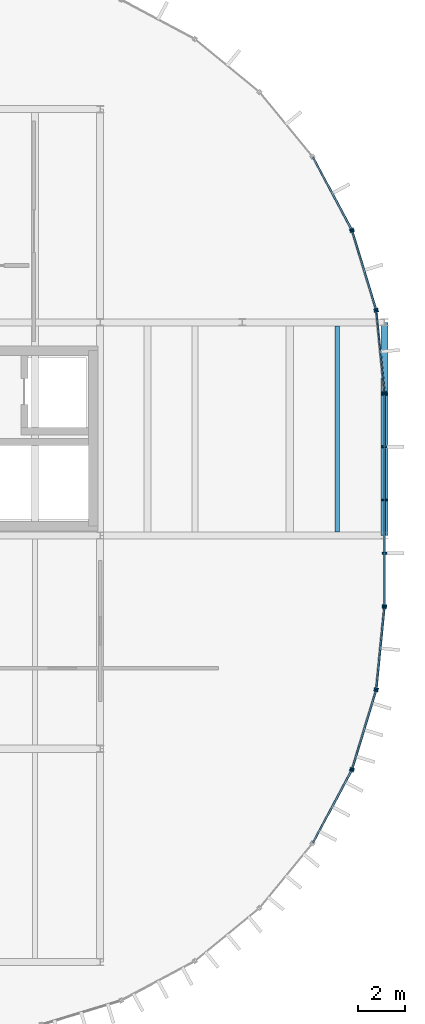
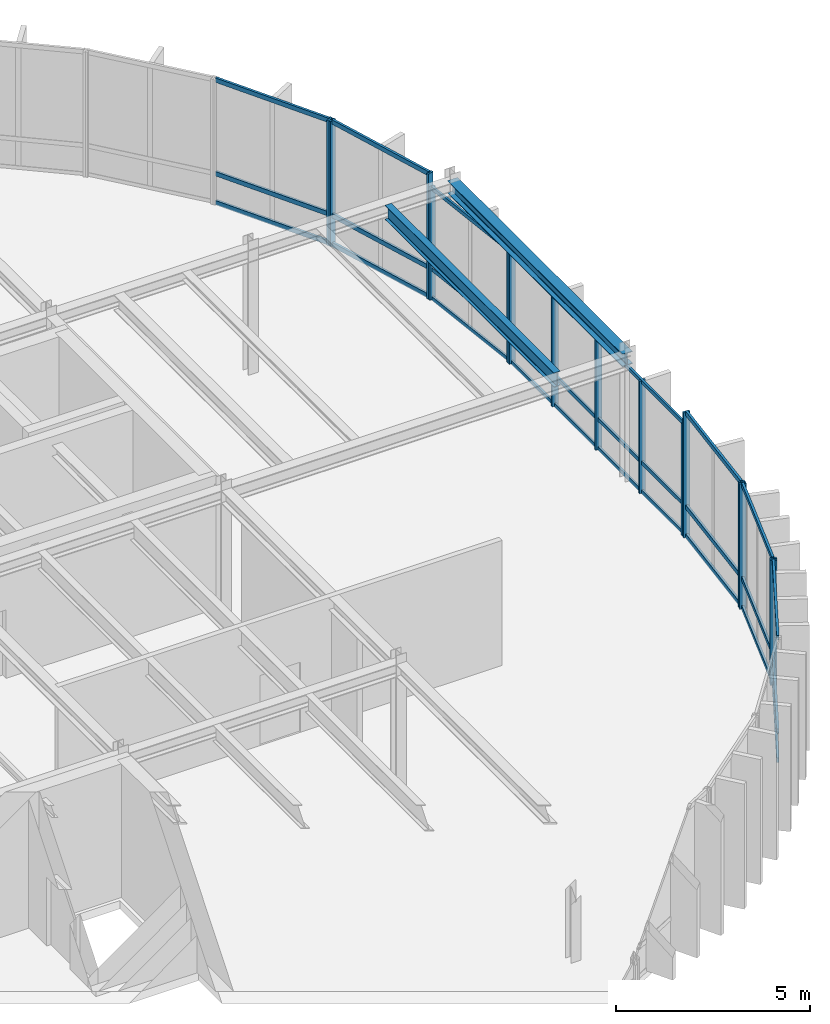
# One storey, part 15 of 21: 36 members, 2 beams, 7 elements without a shape of their own.
"""IFC4 building model written with IfcOpenShell, lengths in metres."""

from ifc_helpers import new_model, si_unit, direction, frame, origin, origin_2d, place, context, subcontext, project, spatial, rectangle, i_section, extrude, material, layer, layer_set, material_profile, profile_set, type_object, element, aggregate, save


model = new_model("IFC4")

# Units and contexts
model_context = context("Model", 3, precision=1e-05, world=origin(), true_north=direction((0.0, 1.0)))
body_context = subcontext(model_context, "Body", "Model", "MODEL_VIEW")
ifc_project = project(units=[si_unit("LENGTHUNIT", "METRE"), si_unit("AREAUNIT", "SQUARE_METRE"), si_unit("VOLUMEUNIT", "CUBIC_METRE"), si_unit("PLANEANGLEUNIT", "RADIAN"), si_unit("MASSUNIT", "GRAM", prefix="KILO")], contexts=[model_context])

# Site, building, storey
site_placement = place(None, origin())
site = spatial("IfcSite", under=ifc_project, at=site_placement, CompositionType="ELEMENT")
building_placement = place(site_placement, origin())
building = spatial("IfcBuilding", under=site, at=building_placement, Name="Montealbar Specialist Clinic", CompositionType="ELEMENT")
storey_placement = place(building_placement, frame((0.0, 0.0, 26.39990234375)))
storey = spatial("IfcBuildingStorey", under=building, at=storey_placement, Name="L06", CompositionType="ELEMENT", Elevation=26.39990234375)

# Beams
ifc_material_1 = material(Name="Steel S355", Category="steel")
ifc_material_profile_1 = material_profile(ifc_material_1, i_section(OverallWidth=0.300048828125, OverallDepth=0.39990234375, WebThickness=0.013427734375, FlangeThickness=0.02392578125, FilletRadius=0.027099609375, at=origin_2d()), Name="HEB 400", Category="steel")
ifc_profile_set_1 = profile_set([ifc_material_profile_1], Name="Steel S355")
beam_type_1 = type_object("IfcBeamType", Name="BM-GIRD-HEB400-EXT", PredefinedType="BEAM", material=ifc_profile_set_1)
beam_1_placement = place(storey_placement, frame((111.0, 27.0, 3.72998046875), z_axis=(0.0, 1.0, 0.0), x_axis=(-1.0, 0.0, 0.0)))
element("IfcBeam", 1, at=beam_1_placement, inside=storey, type_object=beam_type_1, Name="Beam GY-L06-1110-270-360", PredefinedType="BEAM", context=body_context, shape_type="SweptSolid", body=[
    extrude(i_section(OverallWidth=0.300048828125, OverallDepth=0.39990234375, WebThickness=0.013427734375, FlangeThickness=0.02392578125, FilletRadius=0.027099609375, at=origin_2d()), origin(), (0.0, 0.0, 1.0), 9.0),
])
ifc_material_profile_2 = material_profile(ifc_material_1, i_section(OverallWidth=0.18994140625, OverallDepth=0.449951171875, WebThickness=0.009521484375, FlangeThickness=0.0146484375, FilletRadius=0.02099609375, at=origin_2d()), Name="IPE 450", Category="steel")
ifc_profile_set_2 = profile_set([ifc_material_profile_2], Name="Steel S355")
beam_type_2 = type_object("IfcBeamType", Name="BM-SEC-IPE450", PredefinedType="BEAM", material=ifc_profile_set_2)
beam_2_placement = place(storey_placement, frame((109.0, 27.14990234375, 3.705078125), z_axis=(0.0, 1.0, 0.0), x_axis=(-1.0, 0.0, 0.0)))
element("IfcBeam", 2, at=beam_2_placement, inside=storey, type_object=beam_type_2, Name="Beam JST-L06-1090-272-358", PredefinedType="BEAM", context=body_context, shape_type="SweptSolid", body=[
    extrude(i_section(OverallWidth=0.18994140625, OverallDepth=0.449951171875, WebThickness=0.009521484375, FlangeThickness=0.0146484375, FilletRadius=0.02099609375, at=origin_2d()), origin(), (0.0, 0.0, 1.0), 8.7001953125),
])

# Curtain wall, member
ifc_material_2 = material(Name="Low-E double glazing", Category="glass")
ifc_layer_1 = layer(ifc_material_2, 0.199951171875, Name="Low-E double glazing", Category="glass")
ifc_layer_set_1 = layer_set([ifc_layer_1], Name="Low-E double glazing")
curtain_wall_type_1 = type_object("IfcCurtainWallType", Name="CW-TYPE-12", PredefinedType="NOTDEFINED", material=ifc_layer_set_1)
curtain_wall_1_placement = place(storey_placement, origin())
curtain_wall_1 = element("IfcCurtainWall", 3, at=curtain_wall_1_placement, inside=storey, type_object=curtain_wall_type_1, Name="Unitised Curtain Wall CW-L06-1080-430-1096-399-264", PredefinedType="NOTDEFINED")
ifc_material_3 = material(Name="Anodised aluminium EN AW-6063", Category="aluminium")
ifc_material_profile_3 = material_profile(ifc_material_3, rectangle(XDim=0.070068359375, YDim=0.179931640625, at=origin_2d()), Name="ALU 70x180", Category="aluminium")
ifc_profile_set_3 = profile_set([ifc_material_profile_3], Name="Anodised aluminium EN AW-6063")
member_type_1 = type_object("IfcMemberType", Name="CW-MUL-200", PredefinedType="MULLION", material=ifc_profile_set_3)
member_1_placement = place(storey_placement, frame((109.611083984375, 39.923095703125, 0.0), z_axis=(0.0, 0.0, 1.0), x_axis=(0.471529268958, -0.881850411644, 0.0)))
member_1 = element("IfcMember", 4, at=member_1_placement, type_object=member_type_1, Name="Curtain Wall Mullion CW-L06-1080-430-1096-399-264-01", PredefinedType="MULLION", context=body_context, shape_type="SweptSolid", body=[
    extrude(rectangle(XDim=0.070068359375, YDim=0.179931640625, at=origin_2d()), origin(), (0.0, 0.0, 1.0), 3.93017578125),
])

# Curtain wall, members
curtain_wall_2_placement = place(storey_placement, origin())
curtain_wall_2 = element("IfcCurtainWall", 5, at=curtain_wall_2_placement, inside=storey, type_object=curtain_wall_type_1, Name="Unitised Curtain Wall CW-L06-1096-399-1107-365-264", PredefinedType="NOTDEFINED")
member_2_placement = place(storey_placement, frame((109.64208984375, 39.85009765625, 0.0), z_axis=(0.0, 0.0, 1.0), x_axis=(0.290259134399, -0.956948083701, 0.0)))
member_2 = element("IfcMember", 6, at=member_2_placement, type_object=member_type_1, Name="Curtain Wall Mullion CW-L06-1096-399-1107-365-264-00", PredefinedType="MULLION", context=body_context, shape_type="SweptSolid", body=[
    extrude(rectangle(XDim=0.070068359375, YDim=0.179931640625, at=origin_2d()), origin(), (0.0, 0.0, 1.0), 3.93017578125),
])
member_3_placement = place(storey_placement, frame((110.64208984375, 36.550048828125, 0.0), z_axis=(0.0, 0.0, 1.0), x_axis=(0.290259134399, -0.956948083701, 0.0)))
member_3 = element("IfcMember", 7, at=member_3_placement, type_object=member_type_1, Name="Curtain Wall Mullion CW-L06-1096-399-1107-365-264-01", PredefinedType="MULLION", context=body_context, shape_type="SweptSolid", body=[
    extrude(rectangle(XDim=0.070068359375, YDim=0.179931640625, at=origin_2d()), origin(), (0.0, 0.0, 1.0), 3.93017578125),
])

ifc_layer_2 = layer(ifc_material_2, 0.199951171875, Name="Low-E double glazing", Category="glass")
ifc_layer_set_2 = layer_set([ifc_layer_2], Name="Low-E double glazing")
curtain_wall_type_2 = type_object("IfcCurtainWallType", Name="CW-TYPE-15", PredefinedType="NOTDEFINED", material=ifc_layer_set_2)
curtain_wall_3_placement = place(storey_placement, origin())
curtain_wall_3 = element("IfcCurtainWall", 8, at=curtain_wall_3_placement, inside=storey, type_object=curtain_wall_type_2, Name="Unitised Curtain Wall CW-L06-1107-365-1110-330-264", PredefinedType="NOTDEFINED")
member_4_placement = place(storey_placement, frame((110.657958984375, 36.471923828125, 0.0), z_axis=(0.0, 0.0, 1.0), x_axis=(0.098044697094, -0.995182012183, 0.0)))
member_4 = element("IfcMember", 9, at=member_4_placement, type_object=member_type_1, Name="Curtain Wall Mullion CW-L06-1107-365-1110-330-264-00", PredefinedType="MULLION", context=body_context, shape_type="SweptSolid", body=[
    extrude(rectangle(XDim=0.070068359375, YDim=0.179931640625, at=origin_2d()), origin(), (0.0, 0.0, 1.0), 3.530029296875),
])
member_5_placement = place(storey_placement, frame((110.99609375, 33.0400390625, 0.0), z_axis=(0.0, 0.0, 1.0), x_axis=(0.098044697094, -0.995182012183, 0.0)))
member_5 = element("IfcMember", 10, at=member_5_placement, type_object=member_type_1, Name="Curtain Wall Mullion CW-L06-1107-365-1110-330-264-01", PredefinedType="MULLION", context=body_context, shape_type="SweptSolid", body=[
    extrude(rectangle(XDim=0.070068359375, YDim=0.179931640625, at=origin_2d()), origin(), (0.0, 0.0, 1.0), 3.530029296875),
])

ifc_layer_3 = layer(ifc_material_2, 0.199951171875, Name="Low-E double glazing", Category="glass")
ifc_layer_set_3 = layer_set([ifc_layer_3], Name="Low-E double glazing")
curtain_wall_type_3 = type_object("IfcCurtainWallType", Name="CW-TYPE-44", PredefinedType="NOTDEFINED", material=ifc_layer_set_3)
curtain_wall_4_placement = place(storey_placement, origin())
curtain_wall_4 = element("IfcCurtainWall", 11, at=curtain_wall_4_placement, inside=storey, type_object=curtain_wall_type_3, Name="Unitised Curtain Wall CW-L06-1110-330-1110-240-264", PredefinedType="NOTDEFINED")
member_6_placement = place(storey_placement, frame((111.0, 32.9599609375, 0.0), z_axis=(0.0, 0.0, 1.0), x_axis=(0.0, -1.0, 0.0)))
member_6 = element("IfcMember", 12, at=member_6_placement, type_object=member_type_1, Name="Curtain Wall Mullion CW-L06-1110-330-1110-240-264-00", PredefinedType="MULLION", context=body_context, shape_type="SweptSolid", body=[
    extrude(rectangle(XDim=0.070068359375, YDim=0.179931640625, at=origin_2d()), origin(), (0.0, 0.0, 1.0), 3.530029296875),
])
member_7_placement = place(storey_placement, frame((111.0, 30.75, 0.0), z_axis=(0.0, 0.0, 1.0), x_axis=(0.0, -1.0, 0.0)))
member_7 = element("IfcMember", 13, at=member_7_placement, type_object=member_type_1, Name="Curtain Wall Mullion CW-L06-1110-330-1110-240-264-01", PredefinedType="MULLION", context=body_context, shape_type="SweptSolid", body=[
    extrude(rectangle(XDim=0.070068359375, YDim=0.179931640625, at=origin_2d()), origin(), (0.0, 0.0, 1.0), 3.530029296875),
])
member_8_placement = place(storey_placement, frame((111.0, 28.5, 0.0), z_axis=(0.0, 0.0, 1.0), x_axis=(0.0, -1.0, 0.0)))
member_8 = element("IfcMember", 14, at=member_8_placement, type_object=member_type_1, Name="Curtain Wall Mullion CW-L06-1110-330-1110-240-264-02", PredefinedType="MULLION", context=body_context, shape_type="SweptSolid", body=[
    extrude(rectangle(XDim=0.070068359375, YDim=0.179931640625, at=origin_2d()), origin(), (0.0, 0.0, 1.0), 3.530029296875),
])
member_9_placement = place(storey_placement, frame((111.0, 26.25, 0.0), z_axis=(0.0, 0.0, 1.0), x_axis=(0.0, -1.0, 0.0)))
member_9 = element("IfcMember", 15, at=member_9_placement, type_object=member_type_1, Name="Curtain Wall Mullion CW-L06-1110-330-1110-240-264-03", PredefinedType="MULLION", context=body_context, shape_type="SweptSolid", body=[
    extrude(rectangle(XDim=0.070068359375, YDim=0.179931640625, at=origin_2d()), origin(), (0.0, 0.0, 1.0), 3.530029296875),
])
member_10_placement = place(storey_placement, frame((111.0, 24.0400390625, 0.0), z_axis=(0.0, 0.0, 1.0), x_axis=(0.0, -1.0, 0.0)))
member_10 = element("IfcMember", 16, at=member_10_placement, type_object=member_type_1, Name="Curtain Wall Mullion CW-L06-1110-330-1110-240-264-04", PredefinedType="MULLION", context=body_context, shape_type="SweptSolid", body=[
    extrude(rectangle(XDim=0.070068359375, YDim=0.179931640625, at=origin_2d()), origin(), (0.0, 0.0, 1.0), 3.530029296875),
])

curtain_wall_5_placement = place(storey_placement, origin())
curtain_wall_5 = element("IfcCurtainWall", 17, at=curtain_wall_5_placement, inside=storey, type_object=curtain_wall_type_1, Name="Unitised Curtain Wall CW-L06-1110-240-1107-205-264", PredefinedType="NOTDEFINED")
member_11_placement = place(storey_placement, frame((110.99609375, 23.9599609375, 0.0), z_axis=(0.0, 0.0, 1.0), x_axis=(-0.098044697094, -0.995182012183, 0.0)))
member_11 = element("IfcMember", 18, at=member_11_placement, type_object=member_type_1, Name="Curtain Wall Mullion CW-L06-1110-240-1107-205-264-00", PredefinedType="MULLION", context=body_context, shape_type="SweptSolid", body=[
    extrude(rectangle(XDim=0.070068359375, YDim=0.179931640625, at=origin_2d()), origin(), (0.0, 0.0, 1.0), 3.93017578125),
])
member_12_placement = place(storey_placement, frame((110.657958984375, 20.528076171875, 0.0), z_axis=(0.0, 0.0, 1.0), x_axis=(-0.098044697094, -0.995182012183, 0.0)))
member_12 = element("IfcMember", 19, at=member_12_placement, type_object=member_type_1, Name="Curtain Wall Mullion CW-L06-1110-240-1107-205-264-01", PredefinedType="MULLION", context=body_context, shape_type="SweptSolid", body=[
    extrude(rectangle(XDim=0.070068359375, YDim=0.179931640625, at=origin_2d()), origin(), (0.0, 0.0, 1.0), 3.93017578125),
])

curtain_wall_6_placement = place(storey_placement, origin())
curtain_wall_6 = element("IfcCurtainWall", 20, at=curtain_wall_6_placement, inside=storey, type_object=curtain_wall_type_1, Name="Unitised Curtain Wall CW-L06-1107-205-1096-171-264", PredefinedType="NOTDEFINED")
member_13_placement = place(storey_placement, frame((110.64208984375, 20.449951171875, 0.0), z_axis=(0.0, 0.0, 1.0), x_axis=(-0.290259134399, -0.956948083701, 0.0)))
member_13 = element("IfcMember", 21, at=member_13_placement, type_object=member_type_1, Name="Curtain Wall Mullion CW-L06-1107-205-1096-171-264-00", PredefinedType="MULLION", context=body_context, shape_type="SweptSolid", body=[
    extrude(rectangle(XDim=0.070068359375, YDim=0.179931640625, at=origin_2d()), origin(), (0.0, 0.0, 1.0), 3.93017578125),
])
member_14_placement = place(storey_placement, frame((109.64208984375, 17.14990234375, 0.0), z_axis=(0.0, 0.0, 1.0), x_axis=(-0.290259134399, -0.956948083701, 0.0)))
member_14 = element("IfcMember", 22, at=member_14_placement, type_object=member_type_1, Name="Curtain Wall Mullion CW-L06-1107-205-1096-171-264-01", PredefinedType="MULLION", context=body_context, shape_type="SweptSolid", body=[
    extrude(rectangle(XDim=0.070068359375, YDim=0.179931640625, at=origin_2d()), origin(), (0.0, 0.0, 1.0), 3.93017578125),
])

# Curtain wall, member
curtain_wall_7_placement = place(storey_placement, origin())
curtain_wall_7 = element("IfcCurtainWall", 23, at=curtain_wall_7_placement, inside=storey, type_object=curtain_wall_type_1, Name="Unitised Curtain Wall CW-L06-1096-171-1080-140-264", PredefinedType="NOTDEFINED")
member_15_placement = place(storey_placement, frame((109.611083984375, 17.076904296875, 0.0), z_axis=(0.0, 0.0, 1.0), x_axis=(-0.471529268958, -0.881850411644, 0.0)))
member_15 = element("IfcMember", 24, at=member_15_placement, type_object=member_type_1, Name="Curtain Wall Mullion CW-L06-1096-171-1080-140-264-00", PredefinedType="MULLION", context=body_context, shape_type="SweptSolid", body=[
    extrude(rectangle(XDim=0.070068359375, YDim=0.179931640625, at=origin_2d()), origin(), (0.0, 0.0, 1.0), 3.93017578125),
])

# Member
ifc_material_4 = material(Name="Powder-coated aluminium", Category="aluminium")
ifc_material_profile_4 = material_profile(ifc_material_4, rectangle(XDim=0.06005859375, YDim=0.1201171875, at=origin_2d()), Name="ALU 60x120", Category="aluminium")
ifc_profile_set_4 = profile_set([ifc_material_profile_4], Name="Powder-coated aluminium")
member_type_2 = type_object("IfcMemberType", Name="CW-TRN-120", PredefinedType="USERDEFINED", material=ifc_profile_set_4)
member_16_placement = place(storey_placement, frame((110.658935546875, 36.4619140625, 0.0400390625), z_axis=(0.098058232162, -0.995180678623, 0.0), x_axis=(0.995180678623, 0.098058232162, 0.0)))
member_16 = element("IfcMember", 25, at=member_16_placement, type_object=member_type_2, Name="Curtain Wall Transom CW-L06-1107-365-1110-330-264-00", ObjectType="TRANSOM", PredefinedType="USERDEFINED", context=body_context, shape_type="SweptSolid", body=[
    extrude(rectangle(XDim=0.06005859375, YDim=0.1201171875, at=origin_2d()), origin(), (0.0, 0.0, 1.0), 3.428466796875),
])

member_17_placement = place(storey_placement, frame((110.658935546875, 36.4619140625, 0.9501953125), z_axis=(0.098058232162, -0.995180678623, 0.0), x_axis=(0.995180678623, 0.098058232162, 0.0)))
member_17 = element("IfcMember", 26, at=member_17_placement, type_object=member_type_2, Name="Curtain Wall Transom CW-L06-1107-365-1110-330-264-01", ObjectType="TRANSOM", PredefinedType="USERDEFINED", context=body_context, shape_type="SweptSolid", body=[
    extrude(rectangle(XDim=0.06005859375, YDim=0.1201171875, at=origin_2d()), origin(), (0.0, 0.0, 1.0), 3.428466796875),
])

member_18_placement = place(storey_placement, frame((110.658935546875, 36.4619140625, 3.489990234375), z_axis=(0.098058232162, -0.995180678623, 0.0), x_axis=(0.995180678623, 0.098058232162, 0.0)))
member_18 = element("IfcMember", 27, at=member_18_placement, type_object=member_type_2, Name="Curtain Wall Transom CW-L06-1107-365-1110-330-264-02", ObjectType="TRANSOM", PredefinedType="USERDEFINED", context=body_context, shape_type="SweptSolid", body=[
    extrude(rectangle(XDim=0.06005859375, YDim=0.1201171875, at=origin_2d()), origin(), (0.0, 0.0, 1.0), 3.428466796875),
])

aggregate(curtain_wall_3, [member_4, member_5, member_16, member_17, member_18])

member_19_placement = place(storey_placement, frame((111.0, 32.949951171875, 0.0400390625), z_axis=(0.0, -1.0, 0.0), x_axis=(1.0, 0.0, 0.0)))
member_19 = element("IfcMember", 28, at=member_19_placement, type_object=member_type_2, Name="Curtain Wall Transom CW-L06-1110-330-1110-240-264-00", ObjectType="TRANSOM", PredefinedType="USERDEFINED", context=body_context, shape_type="SweptSolid", body=[
    extrude(rectangle(XDim=0.06005859375, YDim=0.1201171875, at=origin_2d()), origin(), (0.0, 0.0, 1.0), 8.89990234375),
])

member_20_placement = place(storey_placement, frame((111.0, 32.949951171875, 0.9501953125), z_axis=(0.0, -1.0, 0.0), x_axis=(1.0, 0.0, 0.0)))
member_20 = element("IfcMember", 29, at=member_20_placement, type_object=member_type_2, Name="Curtain Wall Transom CW-L06-1110-330-1110-240-264-01", ObjectType="TRANSOM", PredefinedType="USERDEFINED", context=body_context, shape_type="SweptSolid", body=[
    extrude(rectangle(XDim=0.06005859375, YDim=0.1201171875, at=origin_2d()), origin(), (0.0, 0.0, 1.0), 8.89990234375),
])

member_21_placement = place(storey_placement, frame((111.0, 32.949951171875, 3.489990234375), z_axis=(0.0, -1.0, 0.0), x_axis=(1.0, 0.0, 0.0)))
member_21 = element("IfcMember", 30, at=member_21_placement, type_object=member_type_2, Name="Curtain Wall Transom CW-L06-1110-330-1110-240-264-02", ObjectType="TRANSOM", PredefinedType="USERDEFINED", context=body_context, shape_type="SweptSolid", body=[
    extrude(rectangle(XDim=0.06005859375, YDim=0.1201171875, at=origin_2d()), origin(), (0.0, 0.0, 1.0), 8.89990234375),
])

aggregate(curtain_wall_4, [member_6, member_7, member_8, member_9, member_10, member_19, member_20, member_21])

ifc_material_profile_5 = material_profile(ifc_material_4, rectangle(XDim=0.070068359375, YDim=0.139892578125, at=origin_2d()), Name="ALU 70x140", Category="aluminium")
ifc_profile_set_5 = profile_set([ifc_material_profile_5], Name="Powder-coated aluminium")
member_type_3 = type_object("IfcMemberType", Name="CW-TRN-140", PredefinedType="USERDEFINED", material=ifc_profile_set_5)
member_22_placement = place(storey_placement, frame((107.989990234375, 42.9560546875, 0.0400390625), z_axis=(0.471286558069, -0.881980147273, 0.0), x_axis=(0.881980147273, 0.471286558069, 0.0)))
member_22 = element("IfcMember", 31, at=member_22_placement, type_object=member_type_3, Name="Curtain Wall Transom CW-L06-1080-430-1096-399-264-00", ObjectType="TRANSOM", PredefinedType="USERDEFINED", context=body_context, shape_type="SweptSolid", body=[
    extrude(rectangle(XDim=0.070068359375, YDim=0.139892578125, at=origin_2d()), origin(), (0.0, 0.0, 1.0), 3.428955078125),
])

member_23_placement = place(storey_placement, frame((107.989990234375, 42.9560546875, 0.9501953125), z_axis=(0.471286558069, -0.881980147273, 0.0), x_axis=(0.881980147273, 0.471286558069, 0.0)))
member_23 = element("IfcMember", 32, at=member_23_placement, type_object=member_type_3, Name="Curtain Wall Transom CW-L06-1080-430-1096-399-264-01", ObjectType="TRANSOM", PredefinedType="USERDEFINED", context=body_context, shape_type="SweptSolid", body=[
    extrude(rectangle(XDim=0.070068359375, YDim=0.139892578125, at=origin_2d()), origin(), (0.0, 0.0, 1.0), 3.428955078125),
])

member_24_placement = place(storey_placement, frame((107.989990234375, 42.9560546875, 3.89013671875), z_axis=(0.471286558069, -0.881980147273, 0.0), x_axis=(0.881980147273, 0.471286558069, 0.0)))
member_24 = element("IfcMember", 33, at=member_24_placement, type_object=member_type_3, Name="Curtain Wall Transom CW-L06-1080-430-1096-399-264-02", ObjectType="TRANSOM", PredefinedType="USERDEFINED", context=body_context, shape_type="SweptSolid", body=[
    extrude(rectangle(XDim=0.070068359375, YDim=0.139892578125, at=origin_2d()), origin(), (0.0, 0.0, 1.0), 3.428955078125),
])

aggregate(curtain_wall_1, [member_1, member_22, member_23, member_24])

member_25_placement = place(storey_placement, frame((109.64501953125, 39.840087890625, 0.0400390625), z_axis=(0.289993555849, -0.957028598092, 0.0), x_axis=(0.957028598092, 0.289993555849, 0.0)))
member_25 = element("IfcMember", 34, at=member_25_placement, type_object=member_type_3, Name="Curtain Wall Transom CW-L06-1096-399-1107-365-264-00", ObjectType="TRANSOM", PredefinedType="USERDEFINED", context=body_context, shape_type="SweptSolid", body=[
    extrude(rectangle(XDim=0.070068359375, YDim=0.139892578125, at=origin_2d()), origin(), (0.0, 0.0, 1.0), 3.42724609375),
])

member_26_placement = place(storey_placement, frame((109.64501953125, 39.840087890625, 0.9501953125), z_axis=(0.289993555849, -0.957028598092, 0.0), x_axis=(0.957028598092, 0.289993555849, 0.0)))
member_26 = element("IfcMember", 35, at=member_26_placement, type_object=member_type_3, Name="Curtain Wall Transom CW-L06-1096-399-1107-365-264-01", ObjectType="TRANSOM", PredefinedType="USERDEFINED", context=body_context, shape_type="SweptSolid", body=[
    extrude(rectangle(XDim=0.070068359375, YDim=0.139892578125, at=origin_2d()), origin(), (0.0, 0.0, 1.0), 3.42724609375),
])

member_27_placement = place(storey_placement, frame((109.64501953125, 39.840087890625, 3.89013671875), z_axis=(0.289993555849, -0.957028598092, 0.0), x_axis=(0.957028598092, 0.289993555849, 0.0)))
member_27 = element("IfcMember", 36, at=member_27_placement, type_object=member_type_3, Name="Curtain Wall Transom CW-L06-1096-399-1107-365-264-02", ObjectType="TRANSOM", PredefinedType="USERDEFINED", context=body_context, shape_type="SweptSolid", body=[
    extrude(rectangle(XDim=0.070068359375, YDim=0.139892578125, at=origin_2d()), origin(), (0.0, 0.0, 1.0), 3.42724609375),
])

aggregate(curtain_wall_2, [member_2, member_3, member_25, member_26, member_27])

member_28_placement = place(storey_placement, frame((110.9951171875, 23.949951171875, 0.0400390625), z_axis=(-0.098058232162, -0.995180678623, 0.0), x_axis=(0.995180678623, -0.098058232162, 0.0)))
member_28 = element("IfcMember", 37, at=member_28_placement, type_object=member_type_3, Name="Curtain Wall Transom CW-L06-1110-240-1107-205-264-00", ObjectType="TRANSOM", PredefinedType="USERDEFINED", context=body_context, shape_type="SweptSolid", body=[
    extrude(rectangle(XDim=0.070068359375, YDim=0.139892578125, at=origin_2d()), origin(), (0.0, 0.0, 1.0), 3.428466796875),
])

member_29_placement = place(storey_placement, frame((110.9951171875, 23.949951171875, 0.9501953125), z_axis=(-0.098058232162, -0.995180678623, 0.0), x_axis=(0.995180678623, -0.098058232162, 0.0)))
member_29 = element("IfcMember", 38, at=member_29_placement, type_object=member_type_3, Name="Curtain Wall Transom CW-L06-1110-240-1107-205-264-01", ObjectType="TRANSOM", PredefinedType="USERDEFINED", context=body_context, shape_type="SweptSolid", body=[
    extrude(rectangle(XDim=0.070068359375, YDim=0.139892578125, at=origin_2d()), origin(), (0.0, 0.0, 1.0), 3.428466796875),
])

member_30_placement = place(storey_placement, frame((110.9951171875, 23.949951171875, 3.89013671875), z_axis=(-0.098058232162, -0.995180678623, 0.0), x_axis=(0.995180678623, -0.098058232162, 0.0)))
member_30 = element("IfcMember", 39, at=member_30_placement, type_object=member_type_3, Name="Curtain Wall Transom CW-L06-1110-240-1107-205-264-02", ObjectType="TRANSOM", PredefinedType="USERDEFINED", context=body_context, shape_type="SweptSolid", body=[
    extrude(rectangle(XDim=0.070068359375, YDim=0.139892578125, at=origin_2d()), origin(), (0.0, 0.0, 1.0), 3.428466796875),
])

aggregate(curtain_wall_5, [member_11, member_12, member_28, member_29, member_30])

member_31_placement = place(storey_placement, frame((110.638916015625, 20.43994140625, 0.0400390625), z_axis=(-0.289993555849, -0.957028598092, 0.0), x_axis=(0.957028598092, -0.289993555849, 0.0)))
member_31 = element("IfcMember", 40, at=member_31_placement, type_object=member_type_3, Name="Curtain Wall Transom CW-L06-1107-205-1096-171-264-00", ObjectType="TRANSOM", PredefinedType="USERDEFINED", context=body_context, shape_type="SweptSolid", body=[
    extrude(rectangle(XDim=0.070068359375, YDim=0.139892578125, at=origin_2d()), origin(), (0.0, 0.0, 1.0), 3.42724609375),
])

member_32_placement = place(storey_placement, frame((110.638916015625, 20.43994140625, 0.9501953125), z_axis=(-0.289993555849, -0.957028598092, 0.0), x_axis=(0.957028598092, -0.289993555849, 0.0)))
member_32 = element("IfcMember", 41, at=member_32_placement, type_object=member_type_3, Name="Curtain Wall Transom CW-L06-1107-205-1096-171-264-01", ObjectType="TRANSOM", PredefinedType="USERDEFINED", context=body_context, shape_type="SweptSolid", body=[
    extrude(rectangle(XDim=0.070068359375, YDim=0.139892578125, at=origin_2d()), origin(), (0.0, 0.0, 1.0), 3.42724609375),
])

member_33_placement = place(storey_placement, frame((110.638916015625, 20.43994140625, 3.89013671875), z_axis=(-0.289993555849, -0.957028598092, 0.0), x_axis=(0.957028598092, -0.289993555849, 0.0)))
member_33 = element("IfcMember", 42, at=member_33_placement, type_object=member_type_3, Name="Curtain Wall Transom CW-L06-1107-205-1096-171-264-02", ObjectType="TRANSOM", PredefinedType="USERDEFINED", context=body_context, shape_type="SweptSolid", body=[
    extrude(rectangle(XDim=0.070068359375, YDim=0.139892578125, at=origin_2d()), origin(), (0.0, 0.0, 1.0), 3.42724609375),
])

aggregate(curtain_wall_6, [member_13, member_14, member_31, member_32, member_33])

member_34_placement = place(storey_placement, frame((109.60595703125, 17.068115234375, 0.0400390625), z_axis=(-0.471286558069, -0.881980147273, 0.0), x_axis=(0.881980147273, -0.471286558069, 0.0)))
member_34 = element("IfcMember", 43, at=member_34_placement, type_object=member_type_3, Name="Curtain Wall Transom CW-L06-1096-171-1080-140-264-00", ObjectType="TRANSOM", PredefinedType="USERDEFINED", context=body_context, shape_type="SweptSolid", body=[
    extrude(rectangle(XDim=0.070068359375, YDim=0.139892578125, at=origin_2d()), origin(), (0.0, 0.0, 1.0), 3.428955078125),
])

member_35_placement = place(storey_placement, frame((109.60595703125, 17.068115234375, 0.9501953125), z_axis=(-0.471286558069, -0.881980147273, 0.0), x_axis=(0.881980147273, -0.471286558069, 0.0)))
member_35 = element("IfcMember", 44, at=member_35_placement, type_object=member_type_3, Name="Curtain Wall Transom CW-L06-1096-171-1080-140-264-01", ObjectType="TRANSOM", PredefinedType="USERDEFINED", context=body_context, shape_type="SweptSolid", body=[
    extrude(rectangle(XDim=0.070068359375, YDim=0.139892578125, at=origin_2d()), origin(), (0.0, 0.0, 1.0), 3.428955078125),
])

member_36_placement = place(storey_placement, frame((109.60595703125, 17.068115234375, 3.89013671875), z_axis=(-0.471286558069, -0.881980147273, 0.0), x_axis=(0.881980147273, -0.471286558069, 0.0)))
member_36 = element("IfcMember", 45, at=member_36_placement, type_object=member_type_3, Name="Curtain Wall Transom CW-L06-1096-171-1080-140-264-02", ObjectType="TRANSOM", PredefinedType="USERDEFINED", context=body_context, shape_type="SweptSolid", body=[
    extrude(rectangle(XDim=0.070068359375, YDim=0.139892578125, at=origin_2d()), origin(), (0.0, 0.0, 1.0), 3.428955078125),
])

aggregate(curtain_wall_7, [member_15, member_34, member_35, member_36])

save(model, "model.ifc")
